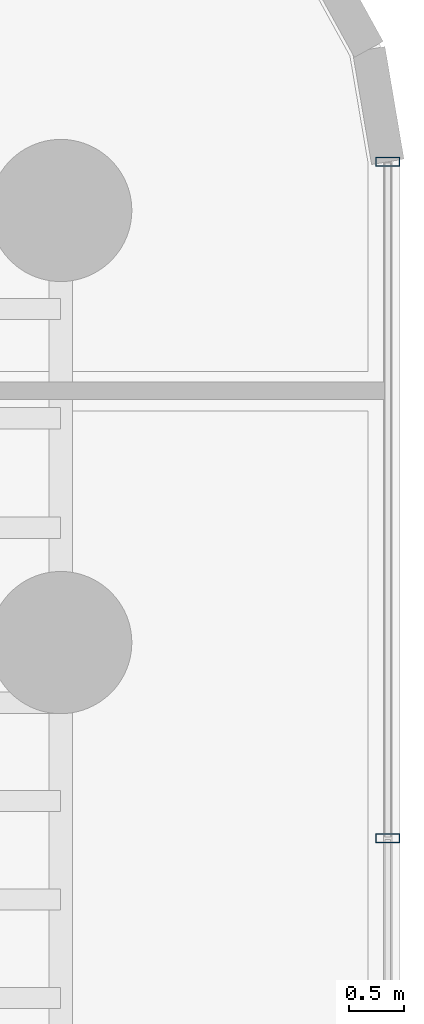
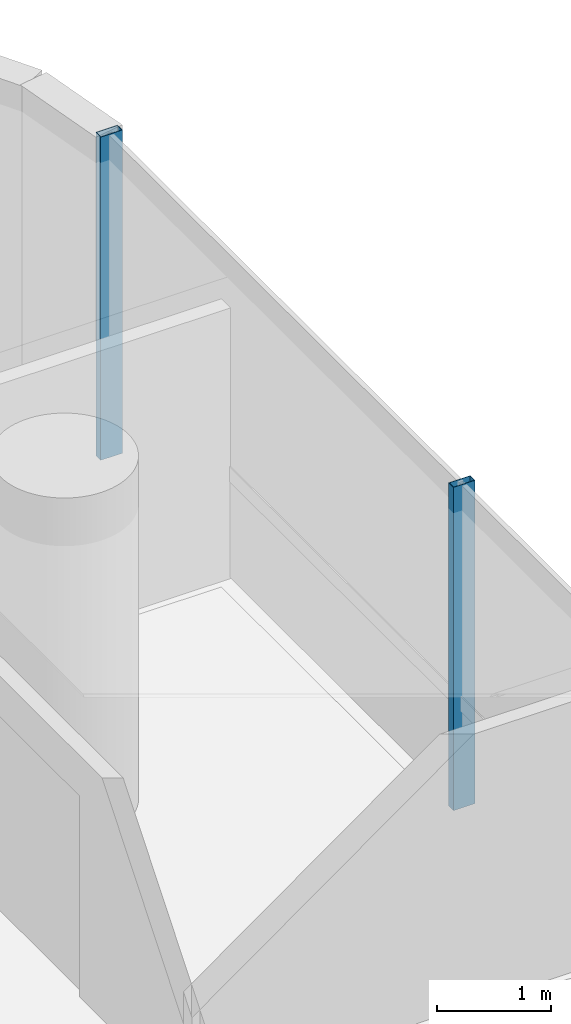
# One storey, part 26 of 40: 2 members, 1 element without a shape of its own.
"""IFC4 building model written with IfcOpenShell, lengths in metres."""

from ifc_helpers import new_model, si_unit, direction, frame, origin, origin_2d, place, context, subcontext, project, spatial, hollow_rectangle, extrude, source, transform, mapped, material, material_profile, profile_set, type_object, element, aggregate, save


model = new_model("IFC4")

# Units and contexts
model_context = context("Model", 3, precision=1e-05, world=origin(), true_north=direction((0.0, 1.0)))
body_context = subcontext(model_context, "Body", "Model", "MODEL_VIEW")
ifc_project = project(units=[si_unit("LENGTHUNIT", "METRE"), si_unit("AREAUNIT", "SQUARE_METRE"), si_unit("VOLUMEUNIT", "CUBIC_METRE"), si_unit("PLANEANGLEUNIT", "RADIAN"), si_unit("MASSUNIT", "GRAM", prefix="KILO")], contexts=[model_context])

# Site, building, storey
site_placement = place(None, origin())
site = spatial("IfcSite", under=ifc_project, at=site_placement, CompositionType="ELEMENT")
building_placement = place(site_placement, origin())
building = spatial("IfcBuilding", under=site, at=building_placement, Name="Valdorenza Pilgrim Sanctuary Tower", CompositionType="ELEMENT")
storey_placement = place(building_placement, frame((0.0, 0.0, 40.800048828125)))
storey = spatial("IfcBuildingStorey", under=building, at=storey_placement, Name="L09", CompositionType="ELEMENT", Elevation=40.800048828125)

# Curtain wall, members
ifc_material_1 = material(Name="Curtain-wall IGU glazing", Category="glass")
curtain_wall_type = type_object("IfcCurtainWallType", Name="CW-SYS-03", PredefinedType="NOTDEFINED", material=ifc_material_1)
curtain_wall_placement = place(storey_placement, origin())
curtain_wall = element("IfcCurtainWall", 1, at=curtain_wall_placement, inside=storey, type_object=curtain_wall_type, Name="L09 Curtain Wall CW-L09-1-21", PredefinedType="NOTDEFINED")
ifc_material_2 = material(Name="Anodised aluminium AW-6060", Category="aluminium")
ifc_material_profile = material_profile(ifc_material_2, hollow_rectangle(XDim=0.0849609375, YDim=0.219970703125, WallThickness=0.0048828125, at=origin_2d()), Name="ALU-M 220x85x5")
ifc_profile_set = profile_set([ifc_material_profile], Name="Anodised aluminium AW-6060")
member_type = type_object("IfcMemberType", Name="CW-MUL-03", PredefinedType="MULLION", material=ifc_profile_set)
shared_shape = source(origin(), body_context, "Body", "SweptSolid", [
    extrude(hollow_rectangle(XDim=0.0849609375, YDim=0.219970703125, WallThickness=0.0048828125, at=origin_2d()), origin(), (0.0, 0.0, 1.0), 3.4599609375),
])
member_1_placement = place(storey_placement, frame((31.389892578125, 13.945068359375, 0.0), z_axis=(0.0, 0.0, 1.0), x_axis=(0.0, -1.0, 0.0)))
member_1 = element("IfcMember", 2, at=member_1_placement, type_object=member_type, Name="CW-L09-1-21 Mullion 1", PredefinedType="MULLION", context=body_context, shape_type="MappedRepresentation", body=[
    mapped(shared_shape, transform((0.0, 0.0, 0.0), x_axis=(1.0, 0.0, 0.0), y_axis=(0.0, 1.0, 0.0), z_axis=(0.0, 0.0, 1.0), scale=1.0)),
])
member_2_placement = place(storey_placement, frame((31.389892578125, 7.761474609375, 0.0), z_axis=(0.0, 0.0, 1.0), x_axis=(0.0, -1.0, 0.0)))
member_2 = element("IfcMember", 3, at=member_2_placement, type_object=member_type, Name="CW-L09-1-21 Mullion 2", PredefinedType="MULLION", context=body_context, shape_type="MappedRepresentation", body=[
    mapped(shared_shape, transform((0.0, 0.0, 0.0), x_axis=(1.0, 0.0, 0.0), y_axis=(0.0, 1.0, 0.0), z_axis=(0.0, 0.0, 1.0), scale=1.0)),
])
aggregate(curtain_wall, [member_1, member_2])

save(model, "model.ifc")
